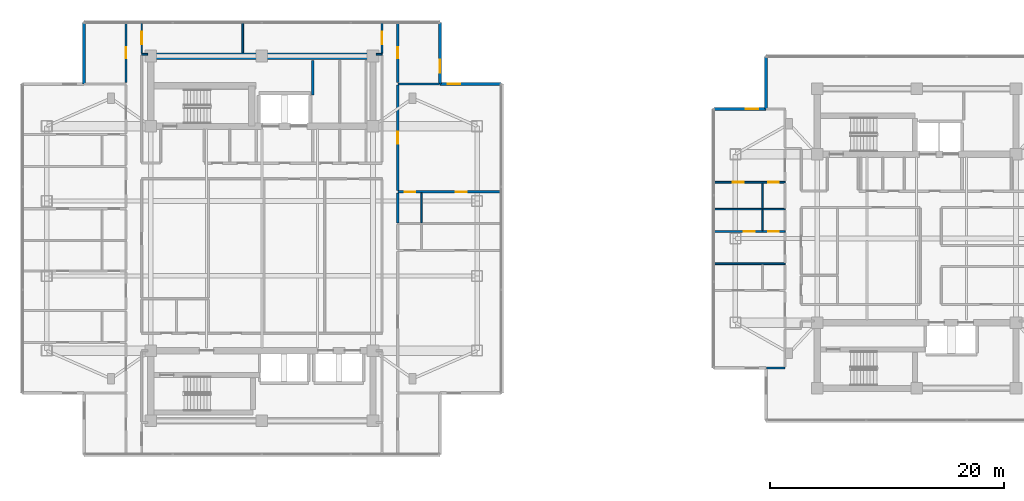
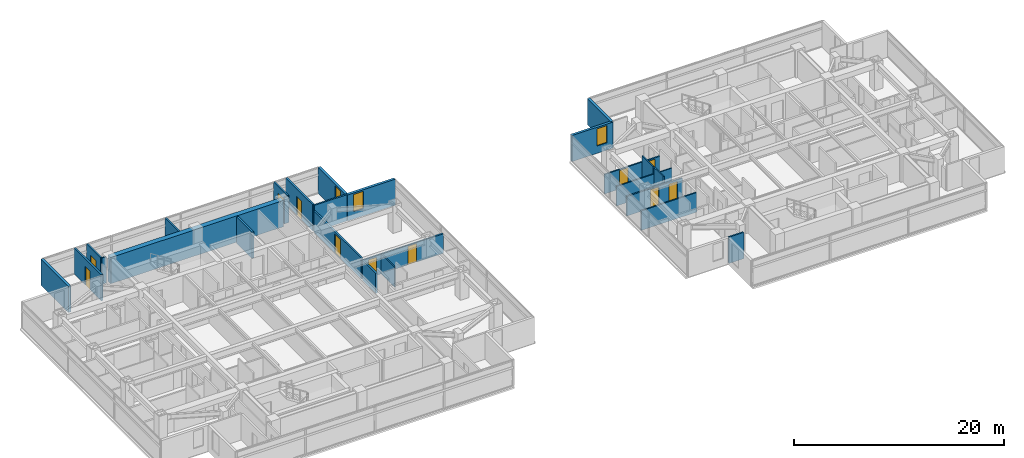
# One storey, part 15 of 24: 26 walls, 11 doors, 3 windows, 14 openings.
"""IFC4 building model written with IfcOpenShell, lengths in metres."""

from ifc_helpers import new_model, si_unit, direction, frame, frame_2d, origin, place, context, subcontext, project, spatial, rectangle, extrude, material, layer, layer_set, type_object, element, fill, save


model = new_model("IFC4")

# Units and contexts
model_context = context("Model", 3, precision=1e-05, world=origin(), true_north=direction((0.0, 1.0)))
body_context = subcontext(model_context, "Body", "Model", "MODEL_VIEW")
ifc_project = project(units=[si_unit("LENGTHUNIT", "METRE"), si_unit("AREAUNIT", "SQUARE_METRE"), si_unit("VOLUMEUNIT", "CUBIC_METRE"), si_unit("PLANEANGLEUNIT", "RADIAN"), si_unit("MASSUNIT", "GRAM", prefix="KILO")], contexts=[model_context])

# Site, building, storey
site_placement = place(None, origin())
site = spatial("IfcSite", under=ifc_project, at=site_placement, CompositionType="ELEMENT")
building_placement = place(site_placement, origin())
building = spatial("IfcBuilding", under=site, at=building_placement, Name="Mirazonda Arch Towers", CompositionType="ELEMENT")
storey_placement = place(building_placement, frame((0.0, 0.0, 164.14990234375)))
storey = spatial("IfcBuildingStorey", under=building, at=storey_placement, Name="L46", CompositionType="ELEMENT", Elevation=164.14990234375)

# Wall
ifc_material_1 = material(Name="Concrete C50/60", Category="concrete")
ifc_layer_1 = layer(ifc_material_1, 0.550048828125, Name="WALL-CORE-550")
ifc_layer_set_1 = layer_set([ifc_layer_1], Name="Concrete C50/60")
wall_type_1 = type_object("IfcWallType", Name="WALL-CORE-550", PredefinedType="SHEAR", material=ifc_layer_set_1)
wall_1_placement = place(storey_placement, frame((11.0, 43.60009765625, 0.0), z_axis=(0.0, 0.0, 1.0), x_axis=(1.0, 0.0, 0.0)))
element("IfcWall", 1, at=wall_1_placement, inside=storey, type_object=wall_type_1, Name="L46 T1N-N Core Shear Wall", PredefinedType="SHEAR", context=body_context, shape_type="SweptSolid", body=[
    extrude(rectangle(XDim=19.0, YDim=0.550048828125, at=frame_2d((9.5, 0.0))), origin(), (0.0, 0.0, 1.0), 3.050048828125),
])

# Wall, opening, window
ifc_material_2 = material(Name="Precast Concrete C40/50", Category="concrete")
ifc_layer_2 = layer(ifc_material_2, 0.280029296875, Name="WALL-EXT-WALL-280")
ifc_layer_set_2 = layer_set([ifc_layer_2], Name="Precast Concrete C40/50")
wall_type_2 = type_object("IfcWallType", Name="WALL-EXT-WALL-280", PredefinedType="SOLIDWALL", material=ifc_layer_set_2)
wall_2_placement = place(storey_placement, frame((35.72509765625, 41.218994140625, 0.0), z_axis=(0.0, 0.0, 1.0), x_axis=(0.0, 1.0, 0.0)))
wall_2 = element("IfcWall", 2, at=wall_2_placement, inside=storey, type_object=wall_type_2, Name="L46 T1 Notched NE Corner Wall WL-L46-T1-CNE", PredefinedType="SOLIDWALL", context=body_context, shape_type="SweptSolid", body=[
    extrude(rectangle(XDim=5.2451171875, YDim=0.280029296875, at=frame_2d((2.62255859375, 0.0))), origin(), (0.0, 0.0, 1.0), 3.030029296875),
])
opening_1_placement = place(wall_2_placement, frame((0.949951171875, 0.0, 0.85009765625)))
opening_1 = element("IfcOpeningElement", 3, at=opening_1_placement, cuts=wall_2, Name="Opening WN-108", PredefinedType="OPENING", context=body_context, shape_type="SweptSolid", body=[
    extrude(rectangle(XDim=1.10009765625, YDim=2.0, at=frame_2d((0.550048828125, 1.0))), frame((0.0, 0.14990234375, 0.0), z_axis=(0.0, -1.0, 0.0), x_axis=(1.0, 0.0, 0.0)), (0.0, 0.0, 1.0), 0.300048828125),
])
ifc_material_3 = material(Name="Insulated Low-E Solar Glass", Category="glass")
window_type = type_object("IfcWindowType", Name="WIN-NOTCH-1100x2000", PartitioningType="SINGLE_PANEL", PredefinedType="WINDOW", material=ifc_material_3)
window_1_placement = place(opening_1_placement, origin())
window_1 = element("IfcWindow", 4, at=window_1_placement, inside=storey, type_object=window_type, Name="L46 Punched Facade Window WN-L46-T1-CNE", OverallHeight=2.0, OverallWidth=1.10009765625, PartitioningType="SINGLE_PANEL", PredefinedType="WINDOW", context=body_context, shape_type="SweptSolid", body=[
    extrude(rectangle(XDim=1.10009765625, YDim=2.0, at=frame_2d((0.550048828125, 1.0))), frame((0.0, 0.030029296875, 0.0), z_axis=(0.0, -1.0, 0.0), x_axis=(1.0, 0.0, 0.0)), (0.0, 0.0, 1.0), 0.06005859375),
])
fill(opening_1, window_1)

# Wall
wall_3_placement = place(storey_placement, frame((5.27490234375, 46.464111328125, 0.0), z_axis=(0.0, 0.0, 1.0), x_axis=(0.0, -1.0, 0.0)))
element("IfcWall", 5, at=wall_3_placement, inside=storey, type_object=wall_type_2, Name="L46 T1 Corner Notch Return Wall WL-L46-T1-CNW2", PredefinedType="SOLIDWALL", context=body_context, shape_type="SweptSolid", body=[
    extrude(rectangle(XDim=5.2451171875, YDim=0.280029296875, at=frame_2d((2.62255859375, 0.0))), origin(), (0.0, 0.0, 1.0), 3.030029296875),
])

# Wall, opening, window
wall_4_placement = place(storey_placement, frame((40.969970703125, 41.218994140625, 0.0), z_axis=(0.0, 0.0, 1.0), x_axis=(-1.0, 0.0, 0.0)))
wall_4 = element("IfcWall", 6, at=wall_4_placement, inside=storey, type_object=wall_type_2, Name="L46 T1 Corner Notch Return Wall WL-L46-T1-CNE2", PredefinedType="SOLIDWALL", context=body_context, shape_type="SweptSolid", body=[
    extrude(rectangle(XDim=5.244873046875, YDim=0.280029296875, at=frame_2d((2.62255859375, 0.0))), origin(), (0.0, 0.0, 1.0), 3.030029296875),
])
opening_2_placement = place(wall_4_placement, frame((3.4951171875, 0.0, 0.85009765625)))
opening_2 = element("IfcOpeningElement", 7, at=opening_2_placement, cuts=wall_4, Name="Opening WN-108", PredefinedType="OPENING", context=body_context, shape_type="SweptSolid", body=[
    extrude(rectangle(XDim=1.10009765625, YDim=2.0, at=frame_2d((0.550048828125, 1.0))), frame((0.0, 0.14990234375, 0.0), z_axis=(0.0, -1.0, 0.0), x_axis=(1.0, 0.0, 0.0)), (0.0, 0.0, 1.0), 0.300048828125),
])
window_2_placement = place(opening_2_placement, origin())
window_2 = element("IfcWindow", 8, at=window_2_placement, inside=storey, type_object=window_type, Name="L46 Punched Facade Window WN-L46-T1-CNE2", OverallHeight=2.0, OverallWidth=1.10009765625, PartitioningType="SINGLE_PANEL", PredefinedType="WINDOW", context=body_context, shape_type="SweptSolid", body=[
    extrude(rectangle(XDim=1.10009765625, YDim=2.0, at=frame_2d((0.550048828125, 1.0))), frame((0.0, 0.030029296875, 0.0), z_axis=(0.0, -1.0, 0.0), x_axis=(1.0, 0.0, 0.0)), (0.0, 0.0, 1.0), 0.06005859375),
])
fill(opening_2, window_2)

wall_5_placement = place(storey_placement, frame((63.61865234375, 39.076171875, 0.0), z_axis=(0.0, 0.0, 1.0), x_axis=(-1.0, 0.0, 0.0)))
wall_5 = element("IfcWall", 9, at=wall_5_placement, inside=storey, type_object=wall_type_2, Name="L46 T2 Corner Notch Return Wall WL-L46-T2-CNW1", PredefinedType="SOLIDWALL", context=body_context, shape_type="SweptSolid", body=[
    extrude(rectangle(XDim=4.465087890625, YDim=0.280029296875, at=frame_2d((2.232421875, 0.0))), origin(), (0.0, 0.0, 1.0), 3.030029296875),
])
opening_3_placement = place(wall_5_placement, frame((0.64990234375, 0.0, 0.85009765625)))
opening_3 = element("IfcOpeningElement", 10, at=opening_3_placement, cuts=wall_5, Name="Opening WN-108", PredefinedType="OPENING", context=body_context, shape_type="SweptSolid", body=[
    extrude(rectangle(XDim=1.10009765625, YDim=2.0, at=frame_2d((0.550048828125, 1.0))), frame((0.0, 0.14990234375, 0.0), z_axis=(0.0, -1.0, 0.0), x_axis=(1.0, 0.0, 0.0)), (0.0, 0.0, 1.0), 0.300048828125),
])
window_3_placement = place(opening_3_placement, origin())
window_3 = element("IfcWindow", 11, at=window_3_placement, inside=storey, type_object=window_type, Name="L46 Punched Facade Window WN-L46-T2-CNW1", OverallHeight=2.0, OverallWidth=1.10009765625, PartitioningType="SINGLE_PANEL", PredefinedType="WINDOW", context=body_context, shape_type="SweptSolid", body=[
    extrude(rectangle(XDim=1.10009765625, YDim=2.0, at=frame_2d((0.550048828125, 1.0))), frame((0.0, 0.030029296875, 0.0), z_axis=(0.0, -1.0, 0.0), x_axis=(1.0, 0.0, 0.0)), (0.0, 0.0, 1.0), 0.06005859375),
])
fill(opening_3, window_3)

# Walls
wall_6_placement = place(storey_placement, frame((63.61865234375, 43.54150390625, 0.0), z_axis=(0.0, 0.0, 1.0), x_axis=(0.0, -1.0, 0.0)))
element("IfcWall", 12, at=wall_6_placement, inside=storey, type_object=wall_type_2, Name="L46 T2 Corner Notch Return Wall WL-L46-T2-CNW2", PredefinedType="SOLIDWALL", context=body_context, shape_type="SweptSolid", body=[
    extrude(rectangle(XDim=4.46533203125, YDim=0.280029296875, at=frame_2d((2.232666015625, 0.0))), origin(), (0.0, 0.0, 1.0), 3.030029296875),
])
ifc_material_4 = material(Name="Concrete C40/50", Category="concrete")
ifc_layer_3 = layer(ifc_material_4, 0.219970703125, Name="WALL-FFL-220")
ifc_layer_set_3 = layer_set([ifc_layer_3], Name="Concrete C40/50")
wall_type_3 = type_object("IfcWallType", Name="WALL-FFL-220", PredefinedType="SOLIDWALL", material=ifc_layer_set_3)
wall_7_placement = place(storey_placement, frame((24.85009765625, 40.260009765625, 0.0), z_axis=(0.0, 0.0, 1.0), x_axis=(0.0, 1.0, 0.0)))
element("IfcWall", 13, at=wall_7_placement, inside=storey, type_object=wall_type_3, Name="L46 Interior Partition 099", PredefinedType="SOLIDWALL", context=body_context, shape_type="SweptSolid", body=[
    extrude(rectangle(XDim=2.93994140625, YDim=0.219970703125, at=frame_2d((1.469970703125, 0.0))), origin(), (0.0, 0.0, 1.0), 3.050048828125),
])
ifc_material_5 = material(Name="Fire-Rated Gypsum Stud Partition")
ifc_layer_4 = layer(ifc_material_5, 0.14990234375, Name="WALL-PART-CORR-150")
ifc_layer_set_4 = layer_set([ifc_layer_4], Name="Fire-Rated Gypsum Stud Partition")
wall_type_4 = type_object("IfcWallType", Name="WALL-PART-CORR-150", PredefinedType="PARTITIONING", material=ifc_layer_set_4)
wall_8_placement = place(storey_placement, frame((59.154052734375, 25.833984375, 0.0), z_axis=(0.0, 0.0, 1.0), x_axis=(1.0, 0.0, 0.0)))
element("IfcWall", 14, at=wall_8_placement, inside=storey, type_object=wall_type_4, Name="L46 Interior Partition 029", PredefinedType="PARTITIONING", context=body_context, shape_type="SweptSolid", body=[
    extrude(rectangle(XDim=6.095947265625, YDim=0.14990234375, at=frame_2d((3.0478515625, 0.0))), origin(), (0.0, 0.0, 1.0), 2.26904296875),
])

# Wall, openings, doors
wall_9_placement = place(storey_placement, frame((59.154052734375, 28.587890625, 0.0), z_axis=(0.0, 0.0, 1.0), x_axis=(1.0, 0.0, 0.0)))
wall_9 = element("IfcWall", 15, at=wall_9_placement, inside=storey, type_object=wall_type_4, Name="L46 Interior Partition 035", PredefinedType="PARTITIONING", context=body_context, shape_type="SweptSolid", body=[
    extrude(rectangle(XDim=6.095947265625, YDim=0.14990234375, at=frame_2d((3.0478515625, 0.0))), origin(), (0.0, 0.0, 1.0), 2.26904296875),
])
opening_4_placement = place(wall_9_placement, frame((2.5673828125, 0.0, 0.0)))
opening_4 = element("IfcOpeningElement", 16, at=opening_4_placement, cuts=wall_9, Name="Opening DR-104", PredefinedType="OPENING", context=body_context, shape_type="SweptSolid", body=[
    extrude(rectangle(XDim=0.949951171875, YDim=2.14990234375, at=frame_2d((0.47509765625, 1.074951171875))), frame((0.0, 0.0849609375, 0.0), z_axis=(0.0, -1.0, 0.0), x_axis=(1.0, 0.0, 0.0)), (0.0, 0.0, 1.0), 0.169921875),
])
opening_5_placement = place(wall_9_placement, frame((4.650390625, 0.0, 0.0)))
opening_5 = element("IfcOpeningElement", 17, at=opening_5_placement, cuts=wall_9, Name="Opening DR-120", PredefinedType="OPENING", context=body_context, shape_type="SweptSolid", body=[
    extrude(rectangle(XDim=0.89990234375, YDim=2.10009765625, at=frame_2d((0.449951171875, 1.050048828125))), frame((0.0, 0.0849609375, 0.0), z_axis=(0.0, -1.0, 0.0), x_axis=(1.0, 0.0, 0.0)), (0.0, 0.0, 1.0), 0.169921875),
])
ifc_material_6 = material(Name="Architectural Brushed Steel S355", Category="steel")
door_type_1 = type_object("IfcDoorType", Name="DOOR-ROOM-950", OperationType="NOTDEFINED", PredefinedType="DOOR", material=ifc_material_6)
door_1_placement = place(opening_4_placement, origin())
door_1 = element("IfcDoor", 18, at=door_1_placement, inside=storey, type_object=door_type_1, Name="L46 Studio 2 Galley Kitchen Door", OperationType="SINGLE_SWING_RIGHT", OverallHeight=2.14990234375, OverallWidth=0.949951171875, PredefinedType="DOOR", context=body_context, shape_type="SweptSolid", body=[
    extrude(rectangle(XDim=0.949951171875, YDim=2.14990234375, at=frame_2d((0.47509765625, 1.074951171875))), frame((0.0, 0.02490234375, 0.0), z_axis=(0.0, -1.0, 0.0), x_axis=(1.0, 0.0, 0.0)), (0.0, 0.0, 1.0), 0.050048828125),
])
fill(opening_4, door_1)
door_type_2 = type_object("IfcDoorType", Name="DOOR-WC-900", OperationType="NOTDEFINED", PredefinedType="DOOR", material=ifc_material_6)
door_2_placement = place(opening_5_placement, origin())
door_2 = element("IfcDoor", 19, at=door_2_placement, inside=storey, type_object=door_type_2, Name="L46 Studio 2 Bathroom Door", OperationType="SINGLE_SWING_LEFT", OverallHeight=2.10009765625, OverallWidth=0.89990234375, PredefinedType="DOOR", context=body_context, shape_type="SweptSolid", body=[
    extrude(rectangle(XDim=0.89990234375, YDim=2.10009765625, at=frame_2d((0.449951171875, 1.050048828125))), frame((0.0, 0.02490234375, 0.0), z_axis=(0.0, -1.0, 0.0), x_axis=(1.0, 0.0, 0.0)), (0.0, 0.0, 1.0), 0.050048828125),
])
fill(opening_5, door_2)

wall_10_placement = place(storey_placement, frame((59.154052734375, 32.80810546875, 0.0), z_axis=(0.0, 0.0, 1.0), x_axis=(1.0, 0.0, 0.0)))
wall_10 = element("IfcWall", 20, at=wall_10_placement, inside=storey, type_object=wall_type_4, Name="L46 Interior Partition 045", PredefinedType="PARTITIONING", context=body_context, shape_type="SweptSolid", body=[
    extrude(rectangle(XDim=6.095947265625, YDim=0.14990234375, at=frame_2d((3.0478515625, 0.0))), origin(), (0.0, 0.0, 1.0), 2.26904296875),
])
opening_6_placement = place(wall_10_placement, frame((1.617431640625, 0.0, 0.0)))
opening_6 = element("IfcOpeningElement", 21, at=opening_6_placement, cuts=wall_10, Name="Opening DR-104", PredefinedType="OPENING", context=body_context, shape_type="SweptSolid", body=[
    extrude(rectangle(XDim=0.949951171875, YDim=2.14990234375, at=frame_2d((0.47509765625, 1.074951171875))), frame((0.0, 0.0849609375, 0.0), z_axis=(0.0, -1.0, 0.0), x_axis=(1.0, 0.0, 0.0)), (0.0, 0.0, 1.0), 0.169921875),
])
opening_7_placement = place(wall_10_placement, frame((4.650390625, 0.0, 0.0)))
opening_7 = element("IfcOpeningElement", 22, at=opening_7_placement, cuts=wall_10, Name="Opening DR-120", PredefinedType="OPENING", context=body_context, shape_type="SweptSolid", body=[
    extrude(rectangle(XDim=0.89990234375, YDim=2.10009765625, at=frame_2d((0.449951171875, 1.050048828125))), frame((0.0, 0.0849609375, 0.0), z_axis=(0.0, -1.0, 0.0), x_axis=(1.0, 0.0, 0.0)), (0.0, 0.0, 1.0), 0.169921875),
])
door_3_placement = place(opening_6_placement, origin())
door_3 = element("IfcDoor", 23, at=door_3_placement, inside=storey, type_object=door_type_1, Name="L46 Studio 3 Galley Kitchen Door", OperationType="SINGLE_SWING_LEFT", OverallHeight=2.14990234375, OverallWidth=0.949951171875, PredefinedType="DOOR", context=body_context, shape_type="SweptSolid", body=[
    extrude(rectangle(XDim=0.949951171875, YDim=2.14990234375, at=frame_2d((0.47509765625, 1.074951171875))), frame((0.0, 0.02490234375, 0.0), z_axis=(0.0, -1.0, 0.0), x_axis=(1.0, 0.0, 0.0)), (0.0, 0.0, 1.0), 0.050048828125),
])
fill(opening_6, door_3)
door_4_placement = place(opening_7_placement, origin())
door_4 = element("IfcDoor", 24, at=door_4_placement, inside=storey, type_object=door_type_2, Name="L46 Studio 3 Bathroom Door", OperationType="SINGLE_SWING_RIGHT", OverallHeight=2.10009765625, OverallWidth=0.89990234375, PredefinedType="DOOR", context=body_context, shape_type="SweptSolid", body=[
    extrude(rectangle(XDim=0.89990234375, YDim=2.10009765625, at=frame_2d((0.449951171875, 1.050048828125))), frame((0.0, 0.02490234375, 0.0), z_axis=(0.0, -1.0, 0.0), x_axis=(1.0, 0.0, 0.0)), (0.0, 0.0, 1.0), 0.050048828125),
])
fill(opening_7, door_4)

# Walls
for number, where, z_axis, x_axis, name in (
    (25, (10.219970703125, 43.75, 0.0), (0.0, 0.0, 1.0), (1.0, 0.0, 0.0), "L46 Interior Partition 060"),
    (26, (30.27001953125, 43.75, 0.0), (0.0, 0.0, 1.0), (1.0, 0.0, 0.0), "L46 Interior Partition 061"),
):
    element("IfcWall", number, at=place(storey_placement, frame(where, z_axis=z_axis, x_axis=x_axis)), inside=storey, type_object=wall_type_4, Name=name, PredefinedType="PARTITIONING", context=body_context, shape_type="SweptSolid", body=[
        extrude(rectangle(XDim=0.510009765625, YDim=0.14990234375, at=frame_2d((0.2548828125, 0.0))), origin(), (0.0, 0.0, 1.0), 3.050048828125),
    ])

# Wall, opening, door
wall_11_placement = place(storey_placement, frame((10.219970703125, 43.8349609375, 0.0), z_axis=(0.0, 0.0, 1.0), x_axis=(0.0, 1.0, 0.0)))
wall_11 = element("IfcWall", 27, at=wall_11_placement, inside=storey, type_object=wall_type_4, Name="L46 Interior Partition 081", PredefinedType="PARTITIONING", context=body_context, shape_type="SweptSolid", body=[
    extrude(rectangle(XDim=2.629150390625, YDim=0.14990234375, at=frame_2d((1.314453125, 0.0))), origin(), (0.0, 0.0, 1.0), 3.050048828125),
])
opening_8_placement = place(wall_11_placement, frame((0.78955078125, 0.0, 0.0)))
opening_8 = element("IfcOpeningElement", 28, at=opening_8_placement, cuts=wall_11, Name="Opening DR-121", PredefinedType="OPENING", context=body_context, shape_type="SweptSolid", body=[
    extrude(rectangle(XDim=1.050048828125, YDim=2.199951171875, at=frame_2d((0.52490234375, 1.10009765625))), frame((0.0, 0.0849609375, 0.0), z_axis=(0.0, -1.0, 0.0), x_axis=(1.0, 0.0, 0.0)), (0.0, 0.0, 1.0), 0.169921875),
])
door_type_3 = type_object("IfcDoorType", Name="DOOR-SUITE-FD60-1050", OperationType="NOTDEFINED", PredefinedType="DOOR", material=ifc_material_6)
door_5_placement = place(opening_8_placement, origin())
door_5 = element("IfcDoor", 29, at=door_5_placement, inside=storey, type_object=door_type_3, Name="L46 North Reading Salon West Door", OperationType="SINGLE_SWING_LEFT", OverallHeight=2.199951171875, OverallWidth=1.050048828125, PredefinedType="DOOR", context=body_context, shape_type="SweptSolid", body=[
    extrude(rectangle(XDim=1.050048828125, YDim=2.199951171875, at=frame_2d((0.52490234375, 1.10009765625))), frame((0.0, 0.02490234375, 0.0), z_axis=(0.0, -1.0, 0.0), x_axis=(1.0, 0.0, 0.0)), (0.0, 0.0, 1.0), 0.050048828125),
])
fill(opening_8, door_5)

# Wall
wall_12_placement = place(storey_placement, frame((18.85498046875, 43.8701171875, 0.0), z_axis=(0.0, 0.0, 1.0), x_axis=(0.0, 1.0, 0.0)))
element("IfcWall", 30, at=wall_12_placement, inside=storey, type_object=wall_type_4, Name="L46 Interior Partition 088", PredefinedType="PARTITIONING", context=body_context, shape_type="SweptSolid", body=[
    extrude(rectangle(XDim=2.593994140625, YDim=0.14990234375, at=frame_2d((1.296875, 0.0))), origin(), (0.0, 0.0, 1.0), 3.050048828125),
])

# Wall, opening, door
wall_13_placement = place(storey_placement, frame((30.780029296875, 43.8349609375, 0.0), z_axis=(0.0, 0.0, 1.0), x_axis=(0.0, 1.0, 0.0)))
wall_13 = element("IfcWall", 31, at=wall_13_placement, inside=storey, type_object=wall_type_4, Name="L46 Interior Partition 110", PredefinedType="PARTITIONING", context=body_context, shape_type="SweptSolid", body=[
    extrude(rectangle(XDim=2.629150390625, YDim=0.14990234375, at=frame_2d((1.314453125, 0.0))), origin(), (0.0, 0.0, 1.0), 3.050048828125),
])
opening_9_placement = place(wall_13_placement, frame((0.78955078125, 0.0, 0.0)))
opening_9 = element("IfcOpeningElement", 32, at=opening_9_placement, cuts=wall_13, Name="Opening DR-121", PredefinedType="OPENING", context=body_context, shape_type="SweptSolid", body=[
    extrude(rectangle(XDim=1.050048828125, YDim=2.199951171875, at=frame_2d((0.52490234375, 1.10009765625))), frame((0.0, 0.0849609375, 0.0), z_axis=(0.0, -1.0, 0.0), x_axis=(1.0, 0.0, 0.0)), (0.0, 0.0, 1.0), 0.169921875),
])
door_6_placement = place(opening_9_placement, origin())
door_6 = element("IfcDoor", 33, at=door_6_placement, inside=storey, type_object=door_type_3, Name="L46 North Reading Salon East Door", OperationType="SINGLE_SWING_RIGHT", OverallHeight=2.199951171875, OverallWidth=1.050048828125, PredefinedType="DOOR", context=body_context, shape_type="SweptSolid", body=[
    extrude(rectangle(XDim=1.050048828125, YDim=2.199951171875, at=frame_2d((0.52490234375, 1.10009765625))), frame((0.0, 0.02490234375, 0.0), z_axis=(0.0, -1.0, 0.0), x_axis=(1.0, 0.0, 0.0)), (0.0, 0.0, 1.0), 0.050048828125),
])
fill(opening_9, door_6)

# Wall
ifc_material_7 = material(Name="Fire-Rated Gypsum Twin-Stud Assembly")
ifc_layer_5 = layer(ifc_material_7, 0.179931640625, Name="WALL-PART-DEMISE-180")
ifc_layer_set_5 = layer_set([ifc_layer_5], Name="Fire-Rated Gypsum Twin-Stud Assembly")
wall_type_5 = type_object("IfcWallType", Name="WALL-PART-DEMISE-180", PredefinedType="PARTITIONING", material=ifc_layer_set_5)
wall_14_placement = place(storey_placement, frame((63.638671875, 16.924072265625, 0.0), z_axis=(0.0, 0.0, 1.0), x_axis=(1.0, 0.0, 0.0)))
element("IfcWall", 34, at=wall_14_placement, inside=storey, type_object=wall_type_5, Name="L46 Interior Partition 009", PredefinedType="PARTITIONING", context=body_context, shape_type="SweptSolid", body=[
    extrude(rectangle(XDim=1.611328125, YDim=0.179931640625, at=frame_2d((0.8056640625, 0.0))), origin(), (0.0, 0.0, 1.0), 3.050048828125),
])

# Wall, openings, doors
wall_15_placement = place(storey_placement, frame((32.1201171875, 31.989990234375, 0.0), z_axis=(0.0, 0.0, 1.0), x_axis=(1.0, 0.0, 0.0)))
wall_15 = element("IfcWall", 35, at=wall_15_placement, inside=storey, type_object=wall_type_5, Name="L46 Interior Partition 042", PredefinedType="PARTITIONING", context=body_context, shape_type="SweptSolid", body=[
    extrude(rectangle(XDim=8.849853515625, YDim=0.179931640625, at=frame_2d((4.4248046875, 0.0))), origin(), (0.0, 0.0, 1.0), 2.26904296875),
])
opening_10_placement = place(wall_15_placement, frame((4.949951171875, 0.0, 0.0)))
opening_10 = element("IfcOpeningElement", 36, at=opening_10_placement, cuts=wall_15, Name="Opening DR-104", PredefinedType="OPENING", context=body_context, shape_type="SweptSolid", body=[
    extrude(rectangle(XDim=0.949951171875, YDim=2.14990234375, at=frame_2d((0.47509765625, 1.074951171875))), frame((0.0, 0.099853515625, 0.0), z_axis=(0.0, -1.0, 0.0), x_axis=(1.0, 0.0, 0.0)), (0.0, 0.0, 1.0), 0.199951171875),
])
opening_11_placement = place(wall_15_placement, frame((0.590087890625, 0.0, 0.0)))
opening_11 = element("IfcOpeningElement", 37, at=opening_11_placement, cuts=wall_15, Name="Opening DR-120", PredefinedType="OPENING", context=body_context, shape_type="SweptSolid", body=[
    extrude(rectangle(XDim=0.89990234375, YDim=2.10009765625, at=frame_2d((0.449951171875, 1.050048828125))), frame((0.0, 0.099853515625, 0.0), z_axis=(0.0, -1.0, 0.0), x_axis=(1.0, 0.0, 0.0)), (0.0, 0.0, 1.0), 0.199951171875),
])
door_7_placement = place(opening_10_placement, origin())
door_7 = element("IfcDoor", 38, at=door_7_placement, inside=storey, type_object=door_type_1, Name="L46 Suite Bedroom 2 Door", OperationType="SINGLE_SWING_LEFT", OverallHeight=2.14990234375, OverallWidth=0.949951171875, PredefinedType="DOOR", context=body_context, shape_type="SweptSolid", body=[
    extrude(rectangle(XDim=0.949951171875, YDim=2.14990234375, at=frame_2d((0.47509765625, 1.074951171875))), frame((0.0, 0.02490234375, 0.0), z_axis=(0.0, -1.0, 0.0), x_axis=(1.0, 0.0, 0.0)), (0.0, 0.0, 1.0), 0.050048828125),
])
fill(opening_10, door_7)
door_8_placement = place(opening_11_placement, origin())
door_8 = element("IfcDoor", 39, at=door_8_placement, inside=storey, type_object=door_type_2, Name="L46 Suite En-Suite Bathroom 2 Door", OperationType="SINGLE_SWING_RIGHT", OverallHeight=2.10009765625, OverallWidth=0.89990234375, PredefinedType="DOOR", context=body_context, shape_type="SweptSolid", body=[
    extrude(rectangle(XDim=0.89990234375, YDim=2.10009765625, at=frame_2d((0.449951171875, 1.050048828125))), frame((0.0, 0.02490234375, 0.0), z_axis=(0.0, -1.0, 0.0), x_axis=(1.0, 0.0, 0.0)), (0.0, 0.0, 1.0), 0.050048828125),
])
fill(opening_11, door_8)

# Wall
wall_16_placement = place(storey_placement, frame((32.1201171875, 41.218994140625, 0.0), z_axis=(0.0, 0.0, 1.0), x_axis=(1.0, 0.0, 0.0)))
element("IfcWall", 40, at=wall_16_placement, inside=storey, type_object=wall_type_5, Name="L46 Interior Partition 059", PredefinedType="PARTITIONING", context=body_context, shape_type="SweptSolid", body=[
    extrude(rectangle(XDim=3.5849609375, YDim=0.179931640625, at=frame_2d((1.79248046875, 0.0))), origin(), (0.0, 0.0, 1.0), 3.050048828125),
])

# Wall, opening, door
wall_17_placement = place(storey_placement, frame((8.8798828125, 41.319091796875, 0.0), z_axis=(0.0, 0.0, 1.0), x_axis=(0.0, 1.0, 0.0)))
wall_17 = element("IfcWall", 41, at=wall_17_placement, inside=storey, type_object=wall_type_5, Name="L46 Interior Partition 075", PredefinedType="PARTITIONING", context=body_context, shape_type="SweptSolid", body=[
    extrude(rectangle(XDim=5.14501953125, YDim=0.179931640625, at=frame_2d((2.572509765625, 0.0))), origin(), (0.0, 0.0, 1.0), 3.050048828125),
])
opening_12_placement = place(wall_17_placement, frame((2.097412109375, 0.0, 0.0)))
opening_12 = element("IfcOpeningElement", 42, at=opening_12_placement, cuts=wall_17, Name="Opening DR-104", PredefinedType="OPENING", context=body_context, shape_type="SweptSolid", body=[
    extrude(rectangle(XDim=0.949951171875, YDim=2.14990234375, at=frame_2d((0.47509765625, 1.074951171875))), frame((0.0, 0.099853515625, 0.0), z_axis=(0.0, -1.0, 0.0), x_axis=(1.0, 0.0, 0.0)), (0.0, 0.0, 1.0), 0.199951171875),
])
door_9_placement = place(opening_12_placement, origin())
door_9 = element("IfcDoor", 43, at=door_9_placement, inside=storey, type_object=door_type_1, Name="L46 North Reading Salon Alcove West Door", OperationType="SINGLE_SWING_LEFT", OverallHeight=2.14990234375, OverallWidth=0.949951171875, PredefinedType="DOOR", context=body_context, shape_type="SweptSolid", body=[
    extrude(rectangle(XDim=0.949951171875, YDim=2.14990234375, at=frame_2d((0.47509765625, 1.074951171875))), frame((0.0, 0.02490234375, 0.0), z_axis=(0.0, -1.0, 0.0), x_axis=(1.0, 0.0, 0.0)), (0.0, 0.0, 1.0), 0.050048828125),
])
fill(opening_12, door_9)

# Wall
wall_18_placement = place(storey_placement, frame((32.1201171875, 29.342529296875, 0.0), z_axis=(0.0, 0.0, 1.0), x_axis=(0.0, 1.0, 0.0)))
element("IfcWall", 44, at=wall_18_placement, inside=storey, type_object=wall_type_5, Name="L46 Interior Partition 114", PredefinedType="PARTITIONING", context=body_context, shape_type="SweptSolid", body=[
    extrude(rectangle(XDim=2.54736328125, YDim=0.179931640625, at=frame_2d((1.273681640625, 0.0))), origin(), (0.0, 0.0, 1.0), 2.34619140625),
])

# Wall, opening, door
wall_19_placement = place(storey_placement, frame((32.1201171875, 32.090087890625, 0.0), z_axis=(0.0, 0.0, 1.0), x_axis=(0.0, 1.0, 0.0)))
wall_19 = element("IfcWall", 45, at=wall_19_placement, inside=storey, type_object=wall_type_5, Name="L46 Interior Partition 115", PredefinedType="PARTITIONING", context=body_context, shape_type="SweptSolid", body=[
    extrude(rectangle(XDim=9.02880859375, YDim=0.179931640625, at=frame_2d((4.514404296875, 0.0))), origin(), (0.0, 0.0, 1.0), 2.442138671875),
])
opening_13_placement = place(wall_19_placement, frame((3.989501953125, 0.0, 0.0)))
opening_13 = element("IfcOpeningElement", 46, at=opening_13_placement, cuts=wall_19, Name="Opening DR-121", PredefinedType="OPENING", context=body_context, shape_type="SweptSolid", body=[
    extrude(rectangle(XDim=1.050048828125, YDim=2.199951171875, at=frame_2d((0.52490234375, 1.10009765625))), frame((0.0, 0.099853515625, 0.0), z_axis=(0.0, -1.0, 0.0), x_axis=(1.0, 0.0, 0.0)), (0.0, 0.0, 1.0), 0.199951171875),
])
door_10_placement = place(opening_13_placement, origin())
door_10 = element("IfcDoor", 47, at=door_10_placement, inside=storey, type_object=door_type_3, Name="L46 Presidential Hotel Suite 2 Door", OperationType="SINGLE_SWING_RIGHT", OverallHeight=2.199951171875, OverallWidth=1.050048828125, PredefinedType="DOOR", context=body_context, shape_type="SweptSolid", body=[
    extrude(rectangle(XDim=1.050048828125, YDim=2.199951171875, at=frame_2d((0.52490234375, 1.10009765625))), frame((0.0, 0.02490234375, 0.0), z_axis=(0.0, -1.0, 0.0), x_axis=(1.0, 0.0, 0.0)), (0.0, 0.0, 1.0), 0.050048828125),
])
fill(opening_13, door_10)

wall_20_placement = place(storey_placement, frame((32.1201171875, 41.319091796875, 0.0), z_axis=(0.0, 0.0, 1.0), x_axis=(0.0, 1.0, 0.0)))
wall_20 = element("IfcWall", 48, at=wall_20_placement, inside=storey, type_object=wall_type_5, Name="L46 Interior Partition 116", PredefinedType="PARTITIONING", context=body_context, shape_type="SweptSolid", body=[
    extrude(rectangle(XDim=5.14501953125, YDim=0.179931640625, at=frame_2d((2.572509765625, 0.0))), origin(), (0.0, 0.0, 1.0), 3.050048828125),
])
opening_14_placement = place(wall_20_placement, frame((2.097412109375, 0.0, 0.0)))
opening_14 = element("IfcOpeningElement", 49, at=opening_14_placement, cuts=wall_20, Name="Opening DR-104", PredefinedType="OPENING", context=body_context, shape_type="SweptSolid", body=[
    extrude(rectangle(XDim=0.949951171875, YDim=2.14990234375, at=frame_2d((0.47509765625, 1.074951171875))), frame((0.0, 0.099853515625, 0.0), z_axis=(0.0, -1.0, 0.0), x_axis=(1.0, 0.0, 0.0)), (0.0, 0.0, 1.0), 0.199951171875),
])
door_11_placement = place(opening_14_placement, origin())
door_11 = element("IfcDoor", 50, at=door_11_placement, inside=storey, type_object=door_type_1, Name="L46 North Reading Salon Alcove East Door", OperationType="SINGLE_SWING_RIGHT", OverallHeight=2.14990234375, OverallWidth=0.949951171875, PredefinedType="DOOR", context=body_context, shape_type="SweptSolid", body=[
    extrude(rectangle(XDim=0.949951171875, YDim=2.14990234375, at=frame_2d((0.47509765625, 1.074951171875))), frame((0.0, 0.02490234375, 0.0), z_axis=(0.0, -1.0, 0.0), x_axis=(1.0, 0.0, 0.0)), (0.0, 0.0, 1.0), 0.050048828125),
])
fill(opening_14, door_11)

# Walls
ifc_material_8 = material(Name="Acoustic Fire-Rated Gypsum Partition")
ifc_layer_6 = layer(ifc_material_8, 0.125, Name="WALL-PART-UNIT-125")
ifc_layer_set_6 = layer_set([ifc_layer_6], Name="Acoustic Fire-Rated Gypsum Partition")
wall_type_6 = type_object("IfcWallType", Name="WALL-PART-UNIT-125", PredefinedType="PARTITIONING", material=ifc_layer_set_6)
wall_21_placement = place(storey_placement, frame((59.154052734375, 30.508056640625, 0.0), z_axis=(0.0, 0.0, 1.0), x_axis=(1.0, 0.0, 0.0)))
element("IfcWall", 51, at=wall_21_placement, inside=storey, type_object=wall_type_6, Name="L46 Interior Partition 039", PredefinedType="PARTITIONING", context=body_context, shape_type="SweptSolid", body=[
    extrude(rectangle(XDim=6.095947265625, YDim=0.125, at=frame_2d((3.0478515625, 0.0))), origin(), (0.0, 0.0, 1.0), 2.26904296875),
])
wall_22_placement = place(storey_placement, frame((34.159912109375, 29.342529296875, 0.0), z_axis=(0.0, 0.0, 1.0), x_axis=(0.0, 1.0, 0.0)))
element("IfcWall", 52, at=wall_22_placement, inside=storey, type_object=wall_type_6, Name="L46 Interior Partition 118", PredefinedType="PARTITIONING", context=body_context, shape_type="SweptSolid", body=[
    extrude(rectangle(XDim=2.54736328125, YDim=0.125, at=frame_2d((1.273681640625, 0.0))), origin(), (0.0, 0.0, 1.0), 2.34619140625),
])
wall_23_placement = place(storey_placement, frame((63.299072265625, 28.673095703125, 0.0), z_axis=(0.0, 0.0, 1.0), x_axis=(0.0, 1.0, 0.0)))
element("IfcWall", 53, at=wall_23_placement, inside=storey, type_object=wall_type_6, Name="L46 Interior Partition 120", PredefinedType="PARTITIONING", context=body_context, shape_type="SweptSolid", body=[
    extrude(rectangle(XDim=1.762451171875, YDim=0.125, at=frame_2d((0.88134765625, 0.0))), origin(), (0.0, 0.0, 1.0), 3.050048828125),
])
wall_24_placement = place(storey_placement, frame((63.299072265625, 30.58056640625, 0.0), z_axis=(0.0, 0.0, 1.0), x_axis=(0.0, 1.0, 0.0)))
element("IfcWall", 54, at=wall_24_placement, inside=storey, type_object=wall_type_6, Name="L46 Interior Partition 121", PredefinedType="PARTITIONING", context=body_context, shape_type="SweptSolid", body=[
    extrude(rectangle(XDim=2.142333984375, YDim=0.125, at=frame_2d((1.0712890625, 0.0))), origin(), (0.0, 0.0, 1.0), 3.050048828125),
])

save(model, "model.ifc")
